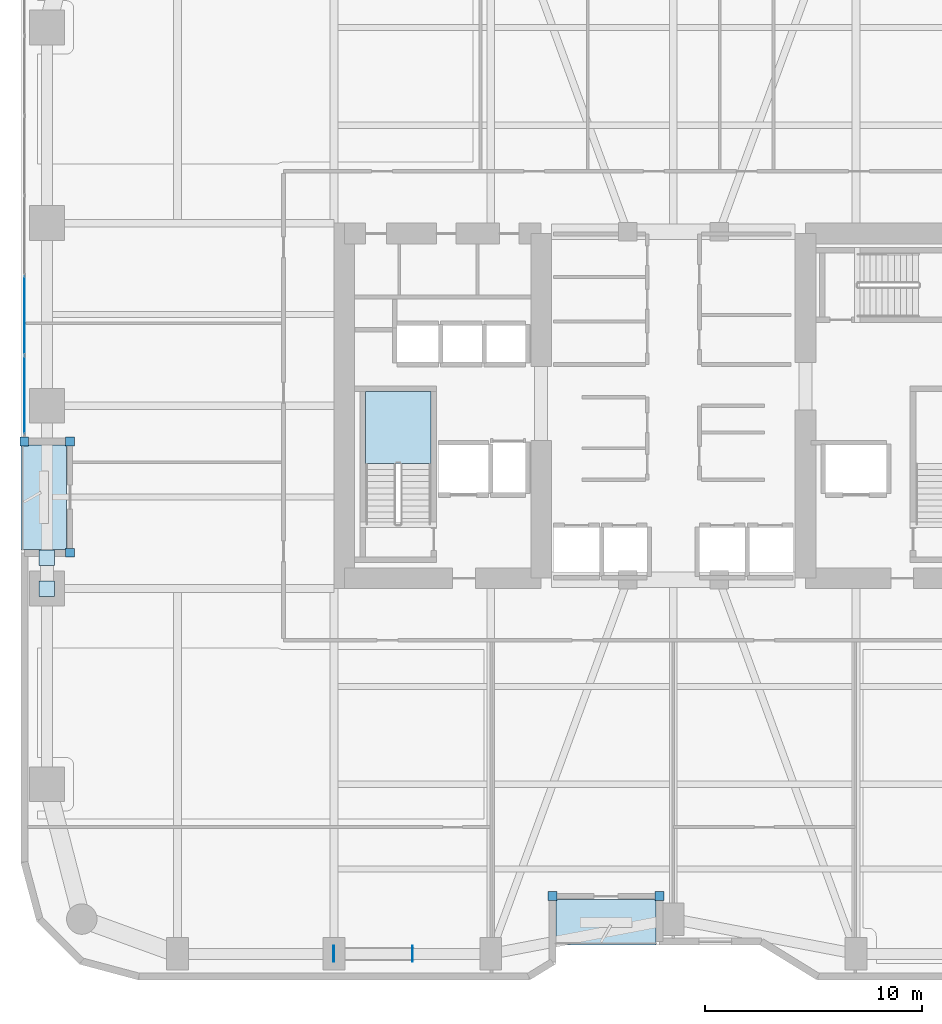
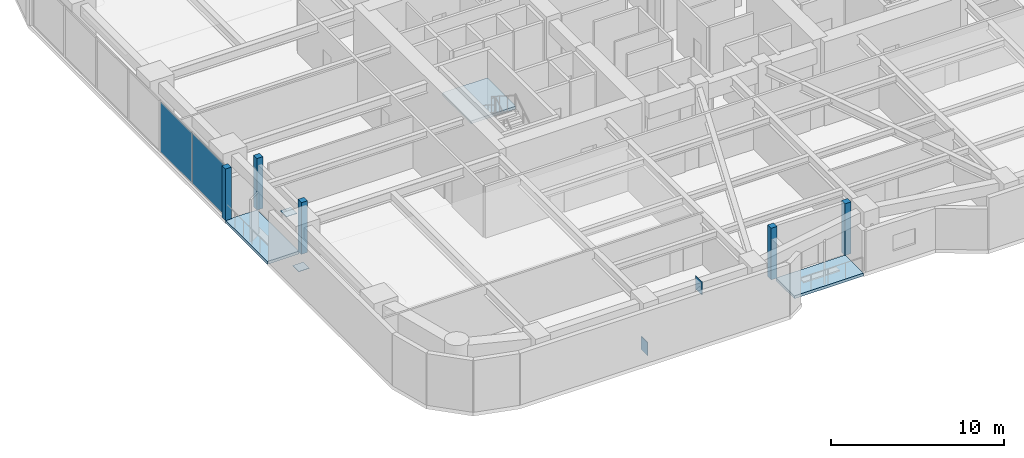
# One storey, part 19 of 28: 11 plates, 3 slabs, 2 elements without a shape of their own.
"""IFC4 building model written with IfcOpenShell, lengths in metres."""

from ifc_helpers import new_model, si_unit, direction, frame, origin, origin_2d, place, context, subcontext, project, spatial, polyline, rectangle, outline, extrude, material, layer, layer_set, type_object, element, aggregate, save


model = new_model("IFC4")

# Units and contexts
model_context = context("Model", 3, precision=1e-05, world=origin(), true_north=direction((0.0, 1.0)))
body_context = subcontext(model_context, "Body", "Model", "MODEL_VIEW")
ifc_project = project(units=[si_unit("LENGTHUNIT", "METRE"), si_unit("AREAUNIT", "SQUARE_METRE"), si_unit("VOLUMEUNIT", "CUBIC_METRE"), si_unit("PLANEANGLEUNIT", "RADIAN"), si_unit("MASSUNIT", "GRAM", prefix="KILO")], contexts=[model_context])

# Site, building, storey
site_placement = place(None, origin())
site = spatial("IfcSite", under=ifc_project, at=site_placement, CompositionType="ELEMENT")
building_placement = place(site_placement, origin())
building = spatial("IfcBuilding", under=site, at=building_placement, Name="Kiyonajd Concourse Tower", CompositionType="ELEMENT")
storey_placement = place(building_placement, frame((0.0, 0.0, 37.199951171875)))
storey = spatial("IfcBuildingStorey", under=building, at=storey_placement, Name="L10", CompositionType="ELEMENT", Elevation=37.199951171875)

# Plates
ifc_material_1 = material(Name="Steel ASTM A572 Grade 50", Category="steel")
ifc_layer_1 = layer(ifc_material_1, 0.028076171875)
ifc_layer_set_1 = layer_set([ifc_layer_1], Name="Steel ASTM A572 Grade 50")
plate_type_1 = type_object("IfcPlateType", Name="PL-CAP-450", PredefinedType="USERDEFINED", material=ifc_layer_set_1)
for number, where, z_axis, x_axis, name in (
    (1, (32.3916015625, 10.800048828125, -0.173583984375), (0.0, 0.0, 1.0), (-1.0, 0.0, 0.0), "L10 Hollow Brace End Cap Plate PBS"),
    (2, (36.008544921875, 10.800048828125, 2.83056640625), (0.0, 0.0, 1.0), (1.0, 0.0, 0.0), "L10 Hollow Brace Top Cap Plate PBS"),
):
    element("IfcPlate", number, at=place(storey_placement, frame(where, z_axis=z_axis, x_axis=x_axis)), inside=storey, type_object=plate_type_1, Name=name, ObjectType="CAP PLATE", PredefinedType="USERDEFINED", context=body_context, shape_type="SweptSolid", body=[
        extrude(rectangle(XDim=0.035888671875, YDim=0.72998046875, at=origin_2d()), origin(), (0.0, 0.0, 1.0), 0.93310546875),
    ])
for number, where, z_axis, x_axis, name in (
    (3, (19.199951171875, 27.59521484375, 0.27587890625), (0.0, 0.0, 1.0), (1.0, 0.0, 0.0), "L10 Hollow Brace End Cap Plate PBW"),
    (4, (19.199951171875, 29.004638671875, 3.2861328125), (0.0, 0.0, 1.0), (1.0, 0.0, 0.0), "L10 Hollow Brace Top Cap Plate PBW"),
):
    element("IfcPlate", number, at=place(storey_placement, frame(where, z_axis=z_axis, x_axis=x_axis)), inside=storey, type_object=plate_type_1, Name=name, ObjectType="CAP PLATE", PredefinedType="USERDEFINED", context=body_context, shape_type="SweptSolid", body=[
        extrude(rectangle(XDim=0.7099609375, YDim=0.7099609375, at=origin_2d()), origin(), (0.0, 0.0, 1.0), 0.028076171875),
    ])

# Curtain wall, plates
ifc_material_2 = material(Name="Thermally Broken Anodised Aluminium", Category="aluminium")
ifc_layer_2 = layer(ifc_material_2, 0.179931640625)
ifc_layer_set_2 = layer_set([ifc_layer_2], Name="Thermally Broken Anodised Aluminium")
curtain_wall_type = type_object("IfcCurtainWallType", Name="CW-SYS-02", PredefinedType="NOTDEFINED", material=ifc_layer_set_2)
curtain_wall_placement = place(storey_placement, origin())
curtain_wall = element("IfcCurtainWall", 5, at=curtain_wall_placement, inside=storey, type_object=curtain_wall_type, Name="L10 Unitised Curtain Wall CW2", PredefinedType="NOTDEFINED")
ifc_material_3 = material(Name="Double Low-E Insulated Glass", Category="glass")
ifc_layer_3 = layer(ifc_material_3, 0.028076171875)
ifc_layer_set_3 = layer_set([ifc_layer_3], Name="Double Low-E Insulated Glass")
plate_type_2 = type_object("IfcPlateType", Name="PL-CW-VIS28", PredefinedType="CURTAIN_PANEL", material=ifc_layer_set_3)
plate_1_placement = place(storey_placement, frame((18.159912109375, 36.5029296875, 0.06494140625), z_axis=(0.0, 0.0, 1.0), x_axis=(0.0, 1.0, 0.0)))
plate_1 = element("IfcPlate", 6, at=plate_1_placement, type_object=plate_type_2, Name="CW2 panel 1.1", PredefinedType="CURTAIN_PANEL", context=body_context, shape_type="SweptSolid", body=[
    extrude(rectangle(XDim=3.57568359375, YDim=0.028076171875, at=origin_2d()), origin(), (0.0, 0.0, 1.0), 3.510009765625),
])
plate_2_placement = place(storey_placement, frame((18.159912109375, 40.15966796875, 0.06494140625), z_axis=(0.0, 0.0, 1.0), x_axis=(0.0, 1.0, 0.0)))
plate_2 = element("IfcPlate", 7, at=plate_2_placement, type_object=plate_type_2, Name="CW2 panel 2.1", PredefinedType="CURTAIN_PANEL", context=body_context, shape_type="SweptSolid", body=[
    extrude(rectangle(XDim=3.608154296875, YDim=0.028076171875, at=origin_2d()), origin(), (0.0, 0.0, 1.0), 3.510009765625),
])
aggregate(curtain_wall, [plate_1, plate_2])

# Plates
ifc_layer_4 = layer(ifc_material_2, 0.39990234375)
ifc_layer_set_4 = layer_set([ifc_layer_4], Name="Thermally Broken Anodised Aluminium")
plate_type_3 = type_object("IfcPlateType", Name="PL-JMB-400", PredefinedType="USERDEFINED", material=ifc_layer_set_4)
for number, where, z_axis, x_axis, name in (
    (8, (20.260009765625, 29.239990234375, 0.0), (0.0, 0.0, 1.0), (1.0, 0.0, 0.0), "L10 Facade Jamb Closure Plate 01"),
    (9, (20.260009765625, 34.360107421875, 0.0), (0.0, 0.0, 1.0), (1.0, 0.0, 0.0), "L10 Facade Jamb Closure Plate 02"),
    (10, (18.159912109375, 34.360107421875, 0.0), (0.0, 0.0, 1.0), (1.0, 0.0, 0.0), "L10 Facade Jamb Closure Plate 03"),
    (11, (47.360107421875, 13.4599609375, 0.0), (0.0, 0.0, 1.0), (1.0, 0.0, 0.0), "L10 Facade Jamb Closure Plate 13"),
    (12, (42.43994140625, 13.4599609375, 0.0), (0.0, 0.0, 1.0), (1.0, 0.0, 0.0), "L10 Facade Jamb Closure Plate 14"),
):
    element("IfcPlate", number, at=place(storey_placement, frame(where, z_axis=z_axis, x_axis=x_axis)), inside=storey, type_object=plate_type_3, Name=name, ObjectType="JAMB PLATE", PredefinedType="USERDEFINED", context=body_context, shape_type="SweptSolid", body=[
        extrude(rectangle(XDim=0.39990234375, YDim=0.39990234375, at=origin_2d()), origin(), (0.0, 0.0, 1.0), 3.639892578125),
    ])

# Stair, slab
ifc_material_4 = material(Name="Concrete C40/50", Category="concrete")
stair_type = type_object("IfcStairType", Name="ST-DLG-22R", PredefinedType="HALF_TURN_STAIR", material=ifc_material_4)
stair_placement = place(storey_placement, origin())
stair = element("IfcStair", 13, at=stair_placement, inside=storey, type_object=stair_type, Name="L10 Protected Exit Stair ST1", PredefinedType="HALF_TURN_STAIR")
ifc_layer_5 = layer(ifc_material_4, 0.199951171875)
ifc_layer_set_5 = layer_set([ifc_layer_5], Name="Concrete C40/50")
slab_type_1 = type_object("IfcSlabType", Name="SL-LND-200", PredefinedType="LANDING", material=ifc_layer_set_5)
slab_1_placement = place(storey_placement, frame((0.0, 0.0, 1.75)))
slab_1 = element("IfcSlab", 14, at=slab_1_placement, type_object=slab_type_1, Name="ST1 landing 1", PredefinedType="LANDING", context=body_context, shape_type="SweptSolid", body=[
    extrude(outline(polyline([(36.85009765625, 33.35009765625), (36.85009765625, 36.64990234375), (33.85009765625, 36.64990234375), (33.85009765625, 33.35009765625), (36.85009765625, 33.35009765625)])), origin(), (0.0, 0.0, 1.0), 0.199951171875),
])
aggregate(stair, [slab_1])

# Slabs
ifc_material_5 = material(Name="Precast concrete C50/60", Category="concrete")
ifc_layer_6 = layer(ifc_material_5, 0.199951171875)
ifc_layer_set_6 = layer_set([ifc_layer_6], Name="Precast concrete C50/60")
slab_type_2 = type_object("IfcSlabType", Name="SL-LOG-200", PredefinedType="FLOOR", material=ifc_layer_set_6)
slab_2_placement = place(storey_placement, frame((0.0, 0.0, -0.199951171875)))
element("IfcSlab", 15, at=slab_2_placement, inside=storey, type_object=slab_type_2, Name="L10 Recessed Engawa Loggia Terrace Slab LOG-S", PredefinedType="FLOOR", context=body_context, shape_type="SweptSolid", body=[
    extrude(outline(polyline([(42.60009765625, 11.199951171875), (47.199951171875, 11.199951171875), (47.199951171875, 13.300048828125), (42.60009765625, 13.300048828125), (42.60009765625, 11.199951171875)])), origin(), (0.0, 0.0, 1.0), 0.199951171875),
])
slab_3_placement = place(storey_placement, frame((0.0, 0.0, -0.199951171875)))
element("IfcSlab", 16, at=slab_3_placement, inside=storey, type_object=slab_type_2, Name="L10 Recessed Engawa Loggia Terrace Slab LOG-W", PredefinedType="FLOOR", context=body_context, shape_type="SweptSolid", body=[
    extrude(outline(polyline([(18.0, 29.39990234375), (20.10009765625, 29.39990234375), (20.10009765625, 34.199951171875), (18.0, 34.199951171875), (18.0, 29.39990234375)])), origin(), (0.0, 0.0, 1.0), 0.199951171875),
])

save(model, "model.ifc")
